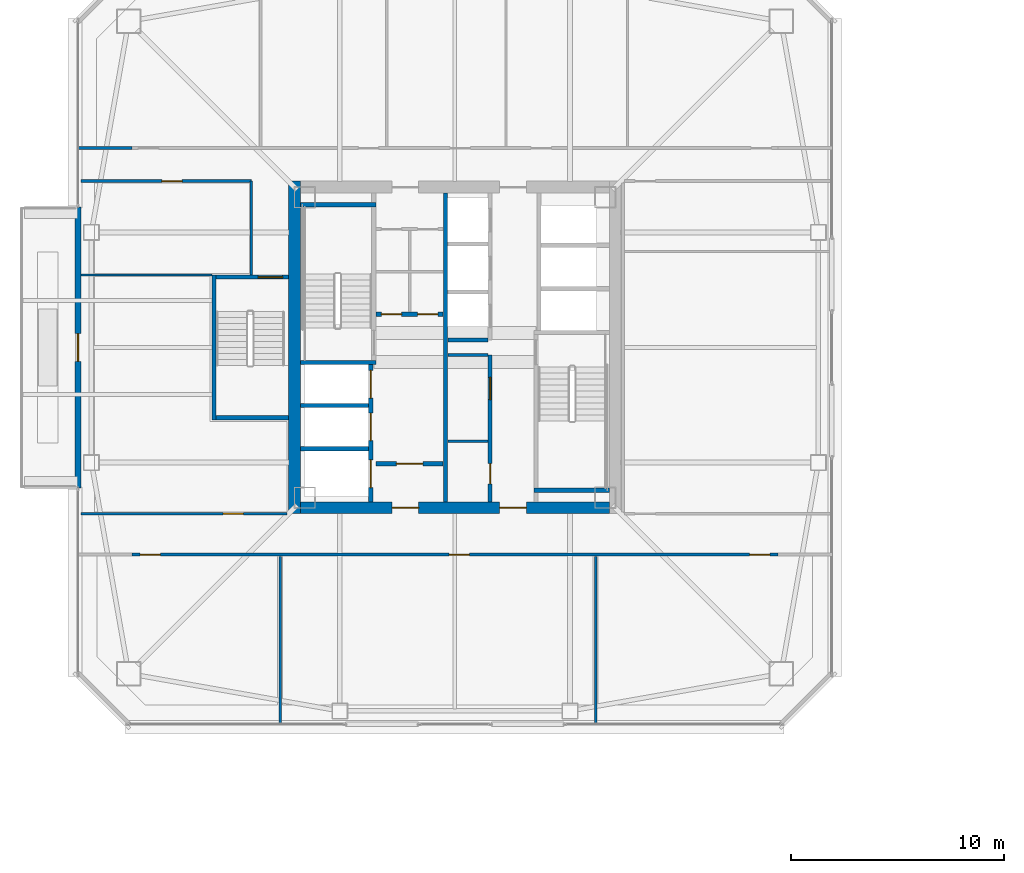
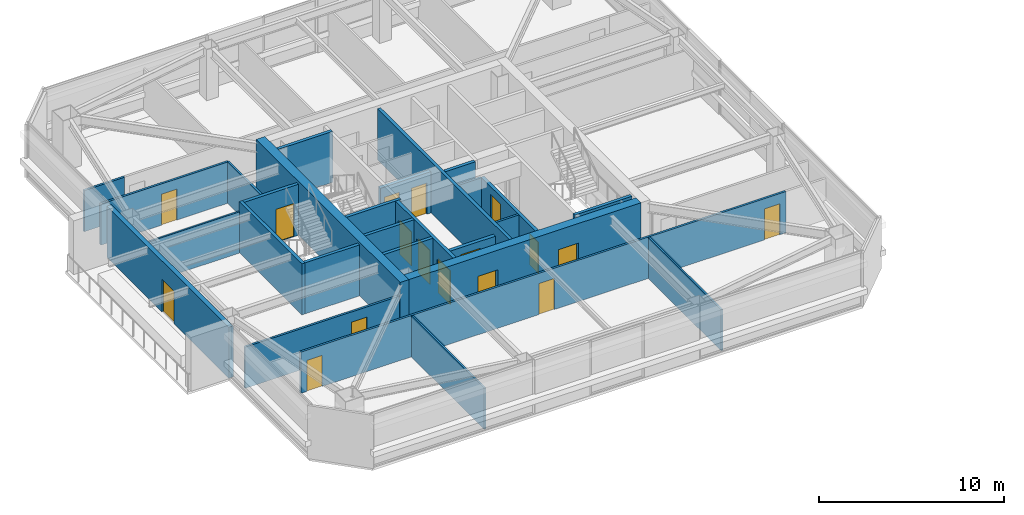
# One storey, part 32 of 43: 27 walls, 17 doors, 17 openings.
"""IFC4 building model written with IfcOpenShell, lengths in metres."""

from ifc_helpers import new_model, si_unit, direction, frame, frame_2d, origin, place, context, subcontext, project, spatial, rectangle, extrude, material, layer, layer_set, type_object, element, fill, save


model = new_model("IFC4")

# Units and contexts
model_context = context("Model", 3, precision=1e-05, world=origin(), true_north=direction((0.0, 1.0)))
body_context = subcontext(model_context, "Body", "Model", "MODEL_VIEW")
ifc_project = project(units=[si_unit("LENGTHUNIT", "METRE"), si_unit("AREAUNIT", "SQUARE_METRE"), si_unit("VOLUMEUNIT", "CUBIC_METRE"), si_unit("PLANEANGLEUNIT", "RADIAN"), si_unit("MASSUNIT", "GRAM", prefix="KILO")], contexts=[model_context])

# Site, building, storey
site_placement = place(None, origin())
site = spatial("IfcSite", under=ifc_project, at=site_placement, CompositionType="ELEMENT")
building_placement = place(site_placement, origin())
building = spatial("IfcBuilding", under=site, at=building_placement, Name="Tashvorn Skyway Center", CompositionType="ELEMENT")
storey_placement = place(building_placement, frame((0.0, 0.0, 188.949951171875)))
storey = spatial("IfcBuildingStorey", under=building, at=storey_placement, Name="L51", CompositionType="ELEMENT", Elevation=188.949951171875)

# Wall
ifc_material_1 = material(Name="Concrete C60/75", Category="concrete")
ifc_layer_1 = layer(ifc_material_1, 0.550048828125)
ifc_layer_set_1 = layer_set([ifc_layer_1], Name="Concrete C60/75")
wall_type_1 = type_object("IfcWallType", Name="WALL-CORE-550", PredefinedType="SHEAR", material=ifc_layer_set_1)
wall_1_placement = place(storey_placement, frame((34.47509765625, 24.199951171875, 0.0), z_axis=(0.0, 0.0, 1.0), x_axis=(0.0, 1.0, 0.0)))
element("IfcWall", 1, at=wall_1_placement, inside=storey, type_object=wall_type_1, Name="Tower 1 L51 West Core Shear Wall", PredefinedType="SHEAR", context=body_context, shape_type="SweptSolid", body=[
    extrude(rectangle(XDim=15.60009765625, YDim=0.550048828125, at=frame_2d((7.800048828125, 0.0))), origin(), (0.0, 0.0, 1.0), 3.550048828125),
])

# Wall, openings, doors
wall_2_placement = place(storey_placement, frame((49.25, 24.47509765625, 0.0), z_axis=(0.0, 0.0, 1.0), x_axis=(-1.0, 0.0, 0.0)))
wall_2 = element("IfcWall", 2, at=wall_2_placement, inside=storey, type_object=wall_type_1, Name="Tower 1 L51 South Core Shear Wall", PredefinedType="SHEAR", context=body_context, shape_type="SweptSolid", body=[
    extrude(rectangle(XDim=14.5, YDim=0.550048828125, at=frame_2d((7.25, 0.0))), origin(), (0.0, 0.0, 1.0), 3.550048828125),
])
opening_1_placement = place(wall_2_placement, frame((8.949951171875, 0.0, 0.0)))
opening_1 = element("IfcOpeningElement", 3, at=opening_1_placement, cuts=wall_2, Name="Opening D-FFL-1250", PredefinedType="OPENING", context=body_context, shape_type="SweptSolid", body=[
    extrude(rectangle(XDim=1.25, YDim=2.25, at=frame_2d((0.625, 1.125))), frame((0.0, 0.284912109375, 0.0), z_axis=(0.0, -1.0, 0.0), x_axis=(1.0, 0.0, 0.0)), (0.0, 0.0, 1.0), 0.570068359375),
])
opening_2_placement = place(wall_2_placement, frame((3.89990234375, 0.0, 0.0)))
opening_2 = element("IfcOpeningElement", 4, at=opening_2_placement, cuts=wall_2, Name="Opening D-FFL-1250", PredefinedType="OPENING", context=body_context, shape_type="SweptSolid", body=[
    extrude(rectangle(XDim=1.25, YDim=2.25, at=frame_2d((0.625, 1.125))), frame((0.0, 0.284912109375, 0.0), z_axis=(0.0, -1.0, 0.0), x_axis=(1.0, 0.0, 0.0)), (0.0, 0.0, 1.0), 0.570068359375),
])
ifc_material_2 = material(Name="Hollow galvanized steel fire door assembly", Category="steel")
door_type_1 = type_object("IfcDoorType", Name="DOOR-FFL-1250", OperationType="NOTDEFINED", PredefinedType="DOOR", material=ifc_material_2)
door_1_placement = place(opening_1_placement, origin())
door_1 = element("IfcDoor", 5, at=door_1_placement, inside=storey, type_object=door_type_1, Name="Tower 1 L51 Core South Firefighting Exit Door", OperationType="SINGLE_SWING_LEFT", OverallHeight=2.25, OverallWidth=1.25, PredefinedType="DOOR", context=body_context, shape_type="SweptSolid", body=[
    extrude(rectangle(XDim=1.25, YDim=2.25, at=frame_2d((0.625, 1.125))), frame((0.0, 0.02490234375, 0.0), z_axis=(0.0, -1.0, 0.0), x_axis=(1.0, 0.0, 0.0)), (0.0, 0.0, 1.0), 0.050048828125),
])
fill(opening_1, door_1)
door_2_placement = place(opening_2_placement, origin())
door_2 = element("IfcDoor", 6, at=door_2_placement, inside=storey, type_object=door_type_1, Name="Tower 1 L51 Core South Lift Lobby Door", OperationType="SINGLE_SWING_RIGHT", OverallHeight=2.25, OverallWidth=1.25, PredefinedType="DOOR", context=body_context, shape_type="SweptSolid", body=[
    extrude(rectangle(XDim=1.25, YDim=2.25, at=frame_2d((0.625, 1.125))), frame((0.0, 0.02490234375, 0.0), z_axis=(0.0, -1.0, 0.0), x_axis=(1.0, 0.0, 0.0)), (0.0, 0.0, 1.0), 0.050048828125),
])
fill(opening_2, door_2)

# Wall, opening, door
ifc_material_3 = material(Name="Precast concrete C40/50", Category="concrete")
ifc_layer_2 = layer(ifc_material_3, 0.280029296875)
ifc_layer_set_2 = layer_set([ifc_layer_2], Name="Precast concrete C40/50")
wall_type_2 = type_object("IfcWallType", Name="WALL-EXT-280", PredefinedType="SOLIDWALL", material=ifc_layer_set_2)
wall_3_placement = place(storey_placement, frame((24.320068359375, 25.39990234375, 0.0), z_axis=(0.0, 0.0, 1.0), x_axis=(0.0, 1.0, 0.0)))
wall_3 = element("IfcWall", 7, at=wall_3_placement, inside=storey, type_object=wall_type_2, Name="Tower 1 L51 West Sky Garden Loggia Wall", PredefinedType="SOLIDWALL", context=body_context, shape_type="SweptSolid", body=[
    extrude(rectangle(XDim=13.2001953125, YDim=0.280029296875, at=frame_2d((6.60009765625, 0.0))), origin(), (0.0, 0.0, 1.0), 3.3701171875),
])
opening_3_placement = place(wall_3_placement, frame((5.949951171875, 0.0, 0.0)))
opening_3 = element("IfcOpeningElement", 8, at=opening_3_placement, cuts=wall_3, Name="Opening D-TER-1300", PredefinedType="OPENING", context=body_context, shape_type="SweptSolid", body=[
    extrude(rectangle(XDim=1.300048828125, YDim=2.14990234375, at=frame_2d((0.64990234375, 1.074951171875))), frame((0.0, 0.14990234375, 0.0), z_axis=(0.0, -1.0, 0.0), x_axis=(1.0, 0.0, 0.0)), (0.0, 0.0, 1.0), 0.300048828125),
])
ifc_material_4 = material(Name="Thermally broken bronze-anodized aluminium 6063-T6", Category="aluminium")
door_type_2 = type_object("IfcDoorType", Name="DOOR-TERR-1300", OperationType="NOTDEFINED", PredefinedType="DOOR", material=ifc_material_4)
door_3_placement = place(opening_3_placement, origin())
door_3 = element("IfcDoor", 9, at=door_3_placement, inside=storey, type_object=door_type_2, Name="Tower 1 L51 Sky Garden Access Door", OperationType="SINGLE_SWING_LEFT", OverallHeight=2.14990234375, OverallWidth=1.300048828125, PredefinedType="DOOR", context=body_context, shape_type="SweptSolid", body=[
    extrude(rectangle(XDim=1.300048828125, YDim=2.14990234375, at=frame_2d((0.64990234375, 1.074951171875))), frame((0.0, 0.02490234375, 0.0), z_axis=(0.0, -1.0, 0.0), x_axis=(1.0, 0.0, 0.0)), (0.0, 0.0, 1.0), 0.050048828125),
])
fill(opening_3, door_3)

# Wall, openings, doors
ifc_material_5 = material(Name="Concrete C40/50", Category="concrete")
ifc_layer_3 = layer(ifc_material_5, 0.219970703125)
ifc_layer_set_3 = layer_set([ifc_layer_3], Name="Concrete C40/50")
wall_type_3 = type_object("IfcWallType", Name="WALL-FFL-220", PredefinedType="SOLIDWALL", material=ifc_layer_set_3)
wall_4_placement = place(storey_placement, frame((38.300048828125, 33.56005859375, 0.0), z_axis=(0.0, 0.0, 1.0), x_axis=(1.0, 0.0, 0.0)))
wall_4 = element("IfcWall", 10, at=wall_4_placement, inside=storey, type_object=wall_type_3, Name="Tower 1 L51 Firefighting Lobby North Wall", PredefinedType="SOLIDWALL", context=body_context, shape_type="SweptSolid", body=[
    extrude(rectangle(XDim=3.14990234375, YDim=0.219970703125, at=frame_2d((1.574951171875, 0.0))), origin(), (0.0, 0.0, 1.0), 2.72314453125),
])
opening_4_placement = place(wall_4_placement, frame((0.25, 0.0, 0.0)))
opening_4 = element("IfcOpeningElement", 11, at=opening_4_placement, cuts=wall_4, Name="Opening D-RT-950", PredefinedType="OPENING", context=body_context, shape_type="SweptSolid", body=[
    extrude(rectangle(XDim=0.949951171875, YDim=2.050048828125, at=frame_2d((0.47509765625, 1.02490234375))), frame((0.0, 0.119873046875, 0.0), z_axis=(0.0, -1.0, 0.0), x_axis=(1.0, 0.0, 0.0)), (0.0, 0.0, 1.0), 0.239990234375),
])
opening_5_placement = place(wall_4_placement, frame((1.949951171875, 0.0, 0.0)))
opening_5 = element("IfcOpeningElement", 12, at=opening_5_placement, cuts=wall_4, Name="Opening D-RT-950", PredefinedType="OPENING", context=body_context, shape_type="SweptSolid", body=[
    extrude(rectangle(XDim=0.949951171875, YDim=2.050048828125, at=frame_2d((0.47509765625, 1.02490234375))), frame((0.0, 0.119873046875, 0.0), z_axis=(0.0, -1.0, 0.0), x_axis=(1.0, 0.0, 0.0)), (0.0, 0.0, 1.0), 0.239990234375),
])
door_type_3 = type_object("IfcDoorType", Name="DOOR-RATED-950", OperationType="NOTDEFINED", PredefinedType="DOOR", material=ifc_material_2)
door_4_placement = place(opening_4_placement, origin())
door_4 = element("IfcDoor", 13, at=door_4_placement, inside=storey, type_object=door_type_3, Name="Tower 1 L51 Core Mail Room Door", OperationType="SINGLE_SWING_LEFT", OverallHeight=2.050048828125, OverallWidth=0.949951171875, PredefinedType="DOOR", context=body_context, shape_type="SweptSolid", body=[
    extrude(rectangle(XDim=0.949951171875, YDim=2.050048828125, at=frame_2d((0.47509765625, 1.02490234375))), frame((0.0, 0.02490234375, 0.0), z_axis=(0.0, -1.0, 0.0), x_axis=(1.0, 0.0, 0.0)), (0.0, 0.0, 1.0), 0.050048828125),
])
fill(opening_4, door_4)
door_5_placement = place(opening_5_placement, origin())
door_5 = element("IfcDoor", 14, at=door_5_placement, inside=storey, type_object=door_type_3, Name="Tower 1 L51 Core Supply Closet Door", OperationType="SINGLE_SWING_RIGHT", OverallHeight=2.050048828125, OverallWidth=0.949951171875, PredefinedType="DOOR", context=body_context, shape_type="SweptSolid", body=[
    extrude(rectangle(XDim=0.949951171875, YDim=2.050048828125, at=frame_2d((0.47509765625, 1.02490234375))), frame((0.0, 0.02490234375, 0.0), z_axis=(0.0, -1.0, 0.0), x_axis=(1.0, 0.0, 0.0)), (0.0, 0.0, 1.0), 0.050048828125),
])
fill(opening_5, door_5)

# Wall, opening, door
wall_5_placement = place(storey_placement, frame((38.300048828125, 26.5400390625, 0.0), z_axis=(0.0, 0.0, 1.0), x_axis=(1.0, 0.0, 0.0)))
wall_5 = element("IfcWall", 15, at=wall_5_placement, inside=storey, type_object=wall_type_3, Name="Tower 1 L51 Firefighting Lobby South Wall", PredefinedType="SOLIDWALL", context=body_context, shape_type="SweptSolid", body=[
    extrude(rectangle(XDim=3.14990234375, YDim=0.219970703125, at=frame_2d((1.574951171875, 0.0))), origin(), (0.0, 0.0, 1.0), 2.72314453125),
])
opening_6_placement = place(wall_5_placement, frame((0.949951171875, 0.0, 0.0)))
opening_6 = element("IfcOpeningElement", 16, at=opening_6_placement, cuts=wall_5, Name="Opening D-FFL-1250", PredefinedType="OPENING", context=body_context, shape_type="SweptSolid", body=[
    extrude(rectangle(XDim=1.25, YDim=2.25, at=frame_2d((0.625, 1.125))), frame((0.0, 0.119873046875, 0.0), z_axis=(0.0, -1.0, 0.0), x_axis=(1.0, 0.0, 0.0)), (0.0, 0.0, 1.0), 0.239990234375),
])
door_6_placement = place(opening_6_placement, origin())
door_6 = element("IfcDoor", 17, at=door_6_placement, inside=storey, type_object=door_type_1, Name="Tower 1 L51 Firefighting Lobby Egress Door", OperationType="SINGLE_SWING_LEFT", OverallHeight=2.25, OverallWidth=1.25, PredefinedType="DOOR", context=body_context, shape_type="SweptSolid", body=[
    extrude(rectangle(XDim=1.25, YDim=2.25, at=frame_2d((0.625, 1.125))), frame((0.0, 0.02490234375, 0.0), z_axis=(0.0, -1.0, 0.0), x_axis=(1.0, 0.0, 0.0)), (0.0, 0.0, 1.0), 0.050048828125),
])
fill(opening_6, door_6)

# Walls
ifc_material_6 = material(Name="Gypsum board on cold-formed steel stud framing", Category="steel")
ifc_layer_4 = layer(ifc_material_6, 0.110107421875)
ifc_layer_set_4 = layer_set([ifc_layer_4], Name="Gypsum board on cold-formed steel stud framing")
wall_type_4 = type_object("IfcWallType", Name="WALL-PART-110", PredefinedType="PARTITIONING", material=ifc_layer_set_4)
for number, where, z_axis, x_axis, name in (
    (18, (33.800048828125, 14.320068359375, 0.0), (0.0, 0.0, 1.0), (0.0, 1.0, 0.0), "Tower 1 L51 South Suite Partition 1"),
    (19, (48.60009765625, 14.320068359375, 0.0), (0.0, 0.0, 1.0), (0.0, 1.0, 0.0), "Tower 1 L51 South Suite Partition 2"),
):
    element("IfcWall", number, at=place(storey_placement, frame(where, z_axis=z_axis, x_axis=x_axis)), inside=storey, type_object=wall_type_4, Name=name, PredefinedType="PARTITIONING", context=body_context, shape_type="SweptSolid", body=[
        extrude(rectangle(XDim=7.8798828125, YDim=0.110107421875, at=frame_2d((3.93994140625, 0.0))), origin(), (0.0, 0.0, 1.0), 2.72314453125),
    ])
wall_6_placement = place(storey_placement, frame((30.60009765625, 35.39990234375, 0.0), z_axis=(0.0, 0.0, 1.0), x_axis=(-1.0, 0.0, 0.0)))
element("IfcWall", 20, at=wall_6_placement, inside=storey, type_object=wall_type_4, Name="Tower 1 L51 West Suite Partition 1", PredefinedType="PARTITIONING", context=body_context, shape_type="SweptSolid", body=[
    extrude(rectangle(XDim=6.130126953125, YDim=0.110107421875, at=frame_2d((3.06494140625, 0.0))), origin(), (0.0, 0.0, 1.0), 2.72314453125),
])
ifc_layer_5 = layer(ifc_material_6, 0.135009765625)
ifc_layer_set_5 = layer_set([ifc_layer_5], Name="Gypsum board on cold-formed steel stud framing")
wall_type_5 = type_object("IfcWallType", Name="WALL-PART-135", PredefinedType="PARTITIONING", material=ifc_layer_set_5)
wall_7_placement = place(storey_placement, frame((32.449951171875, 35.39990234375, 0.0), z_axis=(0.0, 0.0, 1.0), x_axis=(0.0, 1.0, 0.0)))
element("IfcWall", 21, at=wall_7_placement, inside=storey, type_object=wall_type_5, Name="Tower 1 L51 Stair 3 Access Corridor Wall", PredefinedType="PARTITIONING", context=body_context, shape_type="SweptSolid", body=[
    extrude(rectangle(XDim=4.400146484375, YDim=0.135009765625, at=frame_2d((2.2001953125, 0.0))), origin(), (0.0, 0.0, 1.0), 2.72314453125),
])
wall_8_placement = place(storey_placement, frame((24.320068359375, 41.35009765625, 0.0), z_axis=(0.0, 0.0, 1.0), x_axis=(1.0, 0.0, 0.0)))
element("IfcWall", 22, at=wall_8_placement, inside=storey, type_object=wall_type_5, Name="Tower 1 L51 North-West Suite South Wall", PredefinedType="PARTITIONING", context=body_context, shape_type="SweptSolid", body=[
    extrude(rectangle(XDim=2.530029296875, YDim=0.135009765625, at=frame_2d((1.26513671875, 0.0))), origin(), (0.0, 0.0, 1.0), 2.72314453125),
])

# Wall, openings, doors
wall_9_placement = place(storey_placement, frame((57.14990234375, 22.280029296875, 0.0), z_axis=(0.0, 0.0, 1.0), x_axis=(-1.0, 0.0, 0.0)))
wall_9 = element("IfcWall", 23, at=wall_9_placement, inside=storey, type_object=wall_type_5, Name="Tower 1 L51 South Suite Wall", PredefinedType="PARTITIONING", context=body_context, shape_type="SweptSolid", body=[
    extrude(rectangle(XDim=30.2998046875, YDim=0.135009765625, at=frame_2d((15.14990234375, 0.0))), origin(), (0.0, 0.0, 1.0), 2.72314453125),
])
opening_7_placement = place(wall_9_placement, frame((28.969970703125, 0.0, 0.0)))
opening_7 = element("IfcOpeningElement", 24, at=opening_7_placement, cuts=wall_9, Name="Opening D-INT-950", PredefinedType="OPENING", context=body_context, shape_type="SweptSolid", body=[
    extrude(rectangle(XDim=0.949951171875, YDim=2.050048828125, at=frame_2d((0.47509765625, 1.02490234375))), frame((0.0, 0.077392578125, 0.0), z_axis=(0.0, -1.0, 0.0), x_axis=(1.0, 0.0, 0.0)), (0.0, 0.0, 1.0), 0.155029296875),
])
opening_8_placement = place(wall_9_placement, frame((14.468017578125, 0.0, 0.0)))
opening_8 = element("IfcOpeningElement", 25, at=opening_8_placement, cuts=wall_9, Name="Opening D-INT-950", PredefinedType="OPENING", context=body_context, shape_type="SweptSolid", body=[
    extrude(rectangle(XDim=0.949951171875, YDim=2.050048828125, at=frame_2d((0.47509765625, 1.02490234375))), frame((0.0, 0.077392578125, 0.0), z_axis=(0.0, -1.0, 0.0), x_axis=(1.0, 0.0, 0.0)), (0.0, 0.0, 1.0), 0.155029296875),
])
opening_9_placement = place(wall_9_placement, frame((0.3798828125, 0.0, 0.0)))
opening_9 = element("IfcOpeningElement", 26, at=opening_9_placement, cuts=wall_9, Name="Opening D-INT-950", PredefinedType="OPENING", context=body_context, shape_type="SweptSolid", body=[
    extrude(rectangle(XDim=0.949951171875, YDim=2.050048828125, at=frame_2d((0.47509765625, 1.02490234375))), frame((0.0, 0.077392578125, 0.0), z_axis=(0.0, -1.0, 0.0), x_axis=(1.0, 0.0, 0.0)), (0.0, 0.0, 1.0), 0.155029296875),
])
ifc_material_7 = material(Name="Solid-core architectural oak veneer door")
door_type_4 = type_object("IfcDoorType", Name="DOOR-INT-950", OperationType="NOTDEFINED", PredefinedType="DOOR", material=ifc_material_7)
door_7_placement = place(opening_7_placement, origin())
door_7 = element("IfcDoor", 27, at=door_7_placement, inside=storey, type_object=door_type_4, Name="Tower 1 L51 Research Library Door", OperationType="SINGLE_SWING_LEFT", OverallHeight=2.050048828125, OverallWidth=0.949951171875, PredefinedType="DOOR", context=body_context, shape_type="SweptSolid", body=[
    extrude(rectangle(XDim=0.949951171875, YDim=2.050048828125, at=frame_2d((0.47509765625, 1.02490234375))), frame((0.0, 0.02490234375, 0.0), z_axis=(0.0, -1.0, 0.0), x_axis=(1.0, 0.0, 0.0)), (0.0, 0.0, 1.0), 0.050048828125),
])
fill(opening_7, door_7)
door_8_placement = place(opening_8_placement, origin())
door_8 = element("IfcDoor", 28, at=door_8_placement, inside=storey, type_object=door_type_4, Name="Tower 1 L51 Collaborative Studio Door", OperationType="SINGLE_SWING_RIGHT", OverallHeight=2.050048828125, OverallWidth=0.949951171875, PredefinedType="DOOR", context=body_context, shape_type="SweptSolid", body=[
    extrude(rectangle(XDim=0.949951171875, YDim=2.050048828125, at=frame_2d((0.47509765625, 1.02490234375))), frame((0.0, 0.02490234375, 0.0), z_axis=(0.0, -1.0, 0.0), x_axis=(1.0, 0.0, 0.0)), (0.0, 0.0, 1.0), 0.050048828125),
])
fill(opening_8, door_8)
door_9_placement = place(opening_9_placement, origin())
door_9 = element("IfcDoor", 29, at=door_9_placement, inside=storey, type_object=door_type_4, Name="Tower 1 L51 Collaborative Studio Door", OperationType="SINGLE_SWING_LEFT", OverallHeight=2.050048828125, OverallWidth=0.949951171875, PredefinedType="DOOR", context=body_context, shape_type="SweptSolid", body=[
    extrude(rectangle(XDim=0.949951171875, YDim=2.050048828125, at=frame_2d((0.47509765625, 1.02490234375))), frame((0.0, 0.02490234375, 0.0), z_axis=(0.0, -1.0, 0.0), x_axis=(1.0, 0.0, 0.0)), (0.0, 0.0, 1.0), 0.050048828125),
])
fill(opening_9, door_9)

# Wall, opening, door
wall_10_placement = place(storey_placement, frame((32.449951171875, 39.800048828125, 0.0), z_axis=(0.0, 0.0, 1.0), x_axis=(-1.0, 0.0, 0.0)))
wall_10 = element("IfcWall", 30, at=wall_10_placement, inside=storey, type_object=wall_type_5, Name="Tower 1 L51 West Suite North Wall", PredefinedType="PARTITIONING", context=body_context, shape_type="SweptSolid", body=[
    extrude(rectangle(XDim=7.97998046875, YDim=0.135009765625, at=frame_2d((3.989990234375, 0.0))), origin(), (0.0, 0.0, 1.0), 2.72314453125),
])
opening_10_placement = place(wall_10_placement, frame((3.239990234375, 0.0, 0.0)))
opening_10 = element("IfcOpeningElement", 31, at=opening_10_placement, cuts=wall_10, Name="Opening D-INT-950", PredefinedType="OPENING", context=body_context, shape_type="SweptSolid", body=[
    extrude(rectangle(XDim=0.949951171875, YDim=2.050048828125, at=frame_2d((0.47509765625, 1.02490234375))), frame((0.0, 0.077392578125, 0.0), z_axis=(0.0, -1.0, 0.0), x_axis=(1.0, 0.0, 0.0)), (0.0, 0.0, 1.0), 0.155029296875),
])
door_10_placement = place(opening_10_placement, origin())
door_10 = element("IfcDoor", 32, at=door_10_placement, inside=storey, type_object=door_type_4, Name="Tower 1 L51 Design Studio Door", OperationType="SINGLE_SWING_RIGHT", OverallHeight=2.050048828125, OverallWidth=0.949951171875, PredefinedType="DOOR", context=body_context, shape_type="SweptSolid", body=[
    extrude(rectangle(XDim=0.949951171875, YDim=2.050048828125, at=frame_2d((0.47509765625, 1.02490234375))), frame((0.0, 0.02490234375, 0.0), z_axis=(0.0, -1.0, 0.0), x_axis=(1.0, 0.0, 0.0)), (0.0, 0.0, 1.0), 0.050048828125),
])
fill(opening_10, door_10)

wall_11_placement = place(storey_placement, frame((24.469970703125, 24.199951171875, 0.0), z_axis=(0.0, 0.0, 1.0), x_axis=(1.0, 0.0, 0.0)))
wall_11 = element("IfcWall", 33, at=wall_11_placement, inside=storey, type_object=wall_type_5, Name="Tower 1 L51 West Suite South Wall", PredefinedType="PARTITIONING", context=body_context, shape_type="SweptSolid", body=[
    extrude(rectangle(XDim=9.650146484375, YDim=0.135009765625, at=frame_2d((4.8251953125, 0.0))), origin(), (0.0, 0.0, 1.0), 2.72314453125),
])
opening_11_placement = place(wall_11_placement, frame((6.655029296875, 0.0, 0.0)))
opening_11 = element("IfcOpeningElement", 34, at=opening_11_placement, cuts=wall_11, Name="Opening D-INT-950", PredefinedType="OPENING", context=body_context, shape_type="SweptSolid", body=[
    extrude(rectangle(XDim=0.949951171875, YDim=2.050048828125, at=frame_2d((0.47509765625, 1.02490234375))), frame((0.0, 0.077392578125, 0.0), z_axis=(0.0, -1.0, 0.0), x_axis=(1.0, 0.0, 0.0)), (0.0, 0.0, 1.0), 0.155029296875),
])
door_11_placement = place(opening_11_placement, origin())
door_11 = element("IfcDoor", 35, at=door_11_placement, inside=storey, type_object=door_type_4, Name="Tower 1 L51 Public Restroom Door", OperationType="SINGLE_SWING_LEFT", OverallHeight=2.050048828125, OverallWidth=0.949951171875, PredefinedType="DOOR", context=body_context, shape_type="SweptSolid", body=[
    extrude(rectangle(XDim=0.949951171875, YDim=2.050048828125, at=frame_2d((0.47509765625, 1.02490234375))), frame((0.0, 0.02490234375, 0.0), z_axis=(0.0, -1.0, 0.0), x_axis=(1.0, 0.0, 0.0)), (0.0, 0.0, 1.0), 0.050048828125),
])
fill(opening_11, door_11)

# Walls
ifc_layer_6 = layer(ifc_material_6, 0.135009765625)
ifc_layer_set_6 = layer_set([ifc_layer_6], Name="Gypsum board on cold-formed steel stud framing")
wall_type_6 = type_object("IfcWallType", Name="WALL-RATED-135", PredefinedType="PARTITIONING", material=ifc_layer_set_6)
for number, where, z_axis, x_axis, name in (
    (36, (41.669921875, 31.64990234375, 0.0), (0.0, 0.0, 1.0), (1.0, 0.0, 0.0), "Tower 1 L51 Core Room Partition"),
    (37, (41.669921875, 27.60009765625, 0.0), (0.0, 0.0, 1.0), (1.0, 0.0, 0.0), "Tower 1 L51 Freed Core Partition"),
):
    element("IfcWall", number, at=place(storey_placement, frame(where, z_axis=z_axis, x_axis=x_axis)), inside=storey, type_object=wall_type_6, Name=name, PredefinedType="PARTITIONING", context=body_context, shape_type="SweptSolid", body=[
        extrude(rectangle(XDim=1.880126953125, YDim=0.135009765625, at=frame_2d((0.93994140625, 0.0))), origin(), (0.0, 0.0, 1.0), 2.72314453125),
    ])
ifc_layer_7 = layer(ifc_material_5, 0.199951171875)
ifc_layer_set_7 = layer_set([ifc_layer_7], Name="Concrete C40/50")
wall_type_7 = type_object("IfcWallType", Name="WALL-SHAFT-200", PredefinedType="SOLIDWALL", material=ifc_layer_set_7)
for number, where, z_axis, x_axis, name in (
    (38, (34.75, 27.25, 0.0), (0.0, 0.0, 1.0), (1.0, 0.0, 0.0), "Tower 1 L51 FSAE Shaft Divider"),
    (39, (34.75, 29.280029296875, 0.0), (0.0, 0.0, 1.0), (1.0, 0.0, 0.0), "Tower 1 L51 FSAE Shaft Divider"),
):
    element("IfcWall", number, at=place(storey_placement, frame(where, z_axis=z_axis, x_axis=x_axis)), inside=storey, type_object=wall_type_7, Name=name, PredefinedType="SOLIDWALL", context=body_context, shape_type="SweptSolid", body=[
        extrude(rectangle(XDim=3.199951171875, YDim=0.199951171875, at=frame_2d((1.60009765625, 0.0))), origin(), (0.0, 0.0, 1.0), 3.3701171875),
    ])

# Wall, openings, doors
wall_12_placement = place(storey_placement, frame((43.64990234375, 24.75, 0.0), z_axis=(0.0, 0.0, 1.0), x_axis=(0.0, 1.0, 0.0)))
wall_12 = element("IfcWall", 40, at=wall_12_placement, inside=storey, type_object=wall_type_7, Name="Tower 1 L51 Low-Rise Core Wall", PredefinedType="SOLIDWALL", context=body_context, shape_type="SweptSolid", body=[
    extrude(rectangle(XDim=6.89990234375, YDim=0.199951171875, at=frame_2d((3.449951171875, 0.0))), origin(), (0.0, 0.0, 1.0), 2.72314453125),
])
opening_12_placement = place(wall_12_placement, frame((0.85009765625, 0.0, 0.0)))
opening_12 = element("IfcOpeningElement", 41, at=opening_12_placement, cuts=wall_12, Name="Opening D-RT-950", PredefinedType="OPENING", context=body_context, shape_type="SweptSolid", body=[
    extrude(rectangle(XDim=0.949951171875, YDim=2.050048828125, at=frame_2d((0.47509765625, 1.02490234375))), frame((0.0, 0.10986328125, 0.0), z_axis=(0.0, -1.0, 0.0), x_axis=(1.0, 0.0, 0.0)), (0.0, 0.0, 1.0), 0.219970703125),
])
opening_13_placement = place(wall_12_placement, frame((4.800048828125, 0.0, 0.0)))
opening_13 = element("IfcOpeningElement", 42, at=opening_13_placement, cuts=wall_12, Name="Opening D-RT-1050", PredefinedType="OPENING", context=body_context, shape_type="SweptSolid", body=[
    extrude(rectangle(XDim=1.050048828125, YDim=2.199951171875, at=frame_2d((0.52490234375, 1.10009765625))), frame((0.0, 0.10986328125, 0.0), z_axis=(0.0, -1.0, 0.0), x_axis=(1.0, 0.0, 0.0)), (0.0, 0.0, 1.0), 0.219970703125),
])
door_type_5 = type_object("IfcDoorType", Name="DOOR-RATED-1050", OperationType="NOTDEFINED", PredefinedType="DOOR", material=ifc_material_2)
door_12_placement = place(opening_13_placement, origin())
door_12 = element("IfcDoor", 43, at=door_12_placement, inside=storey, type_object=door_type_5, Name="Tower 1 L51 Freed Core Room Door", OperationType="SINGLE_SWING_RIGHT", OverallHeight=2.199951171875, OverallWidth=1.050048828125, PredefinedType="DOOR", context=body_context, shape_type="SweptSolid", body=[
    extrude(rectangle(XDim=1.050048828125, YDim=2.199951171875, at=frame_2d((0.52490234375, 1.10009765625))), frame((0.0, 0.02490234375, 0.0), z_axis=(0.0, -1.0, 0.0), x_axis=(1.0, 0.0, 0.0)), (0.0, 0.0, 1.0), 0.050048828125),
])
fill(opening_13, door_12)
door_13_placement = place(opening_12_placement, origin())
door_13 = element("IfcDoor", 44, at=door_13_placement, inside=storey, type_object=door_type_3, Name="Tower 1 L51 Core Print Room Door", OperationType="SINGLE_SWING_LEFT", OverallHeight=2.050048828125, OverallWidth=0.949951171875, PredefinedType="DOOR", context=body_context, shape_type="SweptSolid", body=[
    extrude(rectangle(XDim=0.949951171875, YDim=2.050048828125, at=frame_2d((0.47509765625, 1.02490234375))), frame((0.0, 0.02490234375, 0.0), z_axis=(0.0, -1.0, 0.0), x_axis=(1.0, 0.0, 0.0)), (0.0, 0.0, 1.0), 0.050048828125),
])
fill(opening_12, door_13)

# Walls
wall_13_placement = place(storey_placement, frame((41.669921875, 32.35009765625, 0.0), z_axis=(0.0, 0.0, 1.0), x_axis=(1.0, 0.0, 0.0)))
element("IfcWall", 45, at=wall_13_placement, inside=storey, type_object=wall_type_7, Name="Tower 1 L51 Mid-Rise Shaft Divider", PredefinedType="SOLIDWALL", context=body_context, shape_type="SweptSolid", body=[
    extrude(rectangle(XDim=1.880126953125, YDim=0.199951171875, at=frame_2d((0.93994140625, 0.0))), origin(), (0.0, 0.0, 1.0), 3.3701171875),
])
ifc_layer_8 = layer(ifc_material_5, 0.199951171875)
ifc_layer_set_8 = layer_set([ifc_layer_8], Name="Concrete C40/50")
wall_type_8 = type_object("IfcWallType", Name="WALL-STSHF-200", PredefinedType="SHEAR", material=ifc_layer_set_8)
for number, where, z_axis, x_axis, name in (
    (46, (34.75, 31.300048828125, 0.0), (0.0, 0.0, 1.0), (1.0, 0.0, 0.0), "Tower 1 L51 Stair 1 South Wall"),
    (47, (34.75, 38.699951171875, 0.0), (0.0, 0.0, 1.0), (1.0, 0.0, 0.0), "Tower 1 L51 Stair 1 North Wall"),
    (48, (45.699951171875, 25.300048828125, 0.0), (0.0, 0.0, 1.0), (1.0, 0.0, 0.0), "Tower 1 L51 Stair 2 South Wall"),
):
    element("IfcWall", number, at=place(storey_placement, frame(where, z_axis=z_axis, x_axis=x_axis)), inside=storey, type_object=wall_type_8, Name=name, PredefinedType="SHEAR", context=body_context, shape_type="SweptSolid", body=[
        extrude(rectangle(XDim=3.550048828125, YDim=0.199951171875, at=frame_2d((1.77490234375, 0.0))), origin(), (0.0, 0.0, 1.0), 3.3701171875),
    ])
wall_14_placement = place(storey_placement, frame((41.56005859375, 24.75, 0.0), z_axis=(0.0, 0.0, 1.0), x_axis=(0.0, 1.0, 0.0)))
element("IfcWall", 49, at=wall_14_placement, inside=storey, type_object=wall_type_8, Name="Tower 1 L51 Firefighting Lobby East Smoke Barrier", PredefinedType="SHEAR", context=body_context, shape_type="SweptSolid", body=[
    extrude(rectangle(XDim=14.5, YDim=0.199951171875, at=frame_2d((7.25, 0.0))), origin(), (0.0, 0.0, 1.0), 3.3701171875),
])

# Wall, openings, doors
wall_15_placement = place(storey_placement, frame((38.050048828125, 24.75, 0.0), z_axis=(0.0, 0.0, 1.0), x_axis=(0.0, 1.0, 0.0)))
wall_15 = element("IfcWall", 50, at=wall_15_placement, inside=storey, type_object=wall_type_8, Name="Tower 1 L51 FSAE and Goods Shaft Front Wall", PredefinedType="SHEAR", context=body_context, shape_type="SweptSolid", body=[
    extrude(rectangle(XDim=6.449951171875, YDim=0.199951171875, at=frame_2d((3.22509765625, 0.0))), origin(), (0.0, 0.0, 1.0), 3.3701171875),
])
opening_14_placement = place(wall_15_placement, frame((4.875, 0.0, 0.0)))
opening_14 = element("IfcOpeningElement", 51, at=opening_14_placement, cuts=wall_15, Name="Opening LD-FF-T1-1-L51", PredefinedType="OPENING", context=body_context, shape_type="SweptSolid", body=[
    extrude(rectangle(XDim=1.300048828125, YDim=2.25, at=frame_2d((0.64990234375, 1.125))), frame((0.0, 0.10986328125, 0.0), z_axis=(0.0, -1.0, 0.0), x_axis=(1.0, 0.0, 0.0)), (0.0, 0.0, 1.0), 0.219970703125),
])
opening_15_placement = place(wall_15_placement, frame((2.875, 0.0, 0.0)))
opening_15 = element("IfcOpeningElement", 52, at=opening_15_placement, cuts=wall_15, Name="Opening LD-FF-T1-2-L51", PredefinedType="OPENING", context=body_context, shape_type="SweptSolid", body=[
    extrude(rectangle(XDim=1.300048828125, YDim=2.25, at=frame_2d((0.64990234375, 1.125))), frame((0.0, 0.10986328125, 0.0), z_axis=(0.0, -1.0, 0.0), x_axis=(1.0, 0.0, 0.0)), (0.0, 0.0, 1.0), 0.219970703125),
])
opening_16_placement = place(wall_15_placement, frame((0.675048828125, 0.0, 0.0)))
opening_16 = element("IfcOpeningElement", 53, at=opening_16_placement, cuts=wall_15, Name="Opening LD-GD-T1-1-L51", PredefinedType="OPENING", context=body_context, shape_type="SweptSolid", body=[
    extrude(rectangle(XDim=1.300048828125, YDim=2.25, at=frame_2d((0.64990234375, 1.125))), frame((0.0, 0.10986328125, 0.0), z_axis=(0.0, -1.0, 0.0), x_axis=(1.0, 0.0, 0.0)), (0.0, 0.0, 1.0), 0.219970703125),
])
ifc_material_8 = material(Name="Stainless steel heavy-duty landing door", Category="steel")
door_type_6 = type_object("IfcDoorType", Name="DOOR-LIFT-1300", OperationType="SLIDING_TO_LEFT", PredefinedType="DOOR", material=ifc_material_8)
door_14_placement = place(opening_14_placement, origin())
door_14 = element("IfcDoor", 54, at=door_14_placement, inside=storey, type_object=door_type_6, Name="Lift FF-T1-1 L51 Landing Door", OperationType="SLIDING_TO_LEFT", OverallHeight=2.25, OverallWidth=1.300048828125, PredefinedType="DOOR", context=body_context, shape_type="SweptSolid", body=[
    extrude(rectangle(XDim=1.300048828125, YDim=2.25, at=frame_2d((0.64990234375, 1.125))), frame((0.0, 0.02490234375, 0.0), z_axis=(0.0, -1.0, 0.0), x_axis=(1.0, 0.0, 0.0)), (0.0, 0.0, 1.0), 0.050048828125),
])
fill(opening_14, door_14)
door_15_placement = place(opening_15_placement, origin())
door_15 = element("IfcDoor", 55, at=door_15_placement, inside=storey, type_object=door_type_6, Name="Lift FF-T1-2 L51 Landing Door", OperationType="SLIDING_TO_LEFT", OverallHeight=2.25, OverallWidth=1.300048828125, PredefinedType="DOOR", context=body_context, shape_type="SweptSolid", body=[
    extrude(rectangle(XDim=1.300048828125, YDim=2.25, at=frame_2d((0.64990234375, 1.125))), frame((0.0, 0.02490234375, 0.0), z_axis=(0.0, -1.0, 0.0), x_axis=(1.0, 0.0, 0.0)), (0.0, 0.0, 1.0), 0.050048828125),
])
fill(opening_15, door_15)
door_16_placement = place(opening_16_placement, origin())
door_16 = element("IfcDoor", 56, at=door_16_placement, inside=storey, type_object=door_type_6, Name="Lift GD-T1-1 L51 Landing Door", OperationType="SLIDING_TO_LEFT", OverallHeight=2.25, OverallWidth=1.300048828125, PredefinedType="DOOR", context=body_context, shape_type="SweptSolid", body=[
    extrude(rectangle(XDim=1.300048828125, YDim=2.25, at=frame_2d((0.64990234375, 1.125))), frame((0.0, 0.02490234375, 0.0), z_axis=(0.0, -1.0, 0.0), x_axis=(1.0, 0.0, 0.0)), (0.0, 0.0, 1.0), 0.050048828125),
])
fill(opening_16, door_16)

# Wall
wall_16_placement = place(storey_placement, frame((30.699951171875, 28.60009765625, 0.0), z_axis=(0.0, 0.0, 1.0), x_axis=(0.0, 1.0, 0.0)))
element("IfcWall", 57, at=wall_16_placement, inside=storey, type_object=wall_type_8, Name="Tower 1 L51 Stair 3 Outer Wall", PredefinedType="SHEAR", context=body_context, shape_type="SweptSolid", body=[
    extrude(rectangle(XDim=6.7998046875, YDim=0.199951171875, at=frame_2d((3.39990234375, 0.0))), origin(), (0.0, 0.0, 1.0), 3.3701171875),
])

# Wall, opening, door
wall_17_placement = place(storey_placement, frame((34.199951171875, 35.300048828125, 0.0), z_axis=(0.0, 0.0, 1.0), x_axis=(-1.0, 0.0, 0.0)))
wall_17 = element("IfcWall", 58, at=wall_17_placement, inside=storey, type_object=wall_type_8, Name="Tower 1 L51 Stair 3 Enclosure Wall", PredefinedType="SHEAR", context=body_context, shape_type="SweptSolid", body=[
    extrude(rectangle(XDim=3.39990234375, YDim=0.199951171875, at=frame_2d((1.699951171875, 0.0))), origin(), (0.0, 0.0, 1.0), 3.3701171875),
])
opening_17_placement = place(wall_17_placement, frame((0.27490234375, 0.0, 0.0)))
opening_17 = element("IfcOpeningElement", 59, at=opening_17_placement, cuts=wall_17, Name="Opening D-ST-1150", PredefinedType="OPENING", context=body_context, shape_type="SweptSolid", body=[
    extrude(rectangle(XDim=1.14990234375, YDim=2.199951171875, at=frame_2d((0.574951171875, 1.10009765625))), frame((0.0, 0.10986328125, 0.0), z_axis=(0.0, -1.0, 0.0), x_axis=(1.0, 0.0, 0.0)), (0.0, 0.0, 1.0), 0.219970703125),
])
door_type_7 = type_object("IfcDoorType", Name="DOOR-STAIR-1150", OperationType="NOTDEFINED", PredefinedType="DOOR", material=ifc_material_2)
door_17_placement = place(opening_17_placement, origin())
door_17 = element("IfcDoor", 60, at=door_17_placement, inside=storey, type_object=door_type_7, Name="Tower 1 L51 Exit Stair 3 Door", OperationType="SINGLE_SWING_RIGHT", OverallHeight=2.199951171875, OverallWidth=1.14990234375, PredefinedType="DOOR", context=body_context, shape_type="SweptSolid", body=[
    extrude(rectangle(XDim=1.14990234375, YDim=2.199951171875, at=frame_2d((0.574951171875, 1.10009765625))), frame((0.0, 0.02490234375, 0.0), z_axis=(0.0, -1.0, 0.0), x_axis=(1.0, 0.0, 0.0)), (0.0, 0.0, 1.0), 0.050048828125),
])
fill(opening_17, door_17)

# Wall
wall_18_placement = place(storey_placement, frame((30.800048828125, 28.699951171875, 0.0), z_axis=(0.0, 0.0, 1.0), x_axis=(1.0, 0.0, 0.0)))
element("IfcWall", 61, at=wall_18_placement, inside=storey, type_object=wall_type_8, Name="Tower 1 L51 Stair 3 South Wall", PredefinedType="SHEAR", context=body_context, shape_type="SweptSolid", body=[
    extrude(rectangle(XDim=3.39990234375, YDim=0.199951171875, at=frame_2d((1.699951171875, 0.0))), origin(), (0.0, 0.0, 1.0), 3.3701171875),
])

save(model, "model.ifc")
